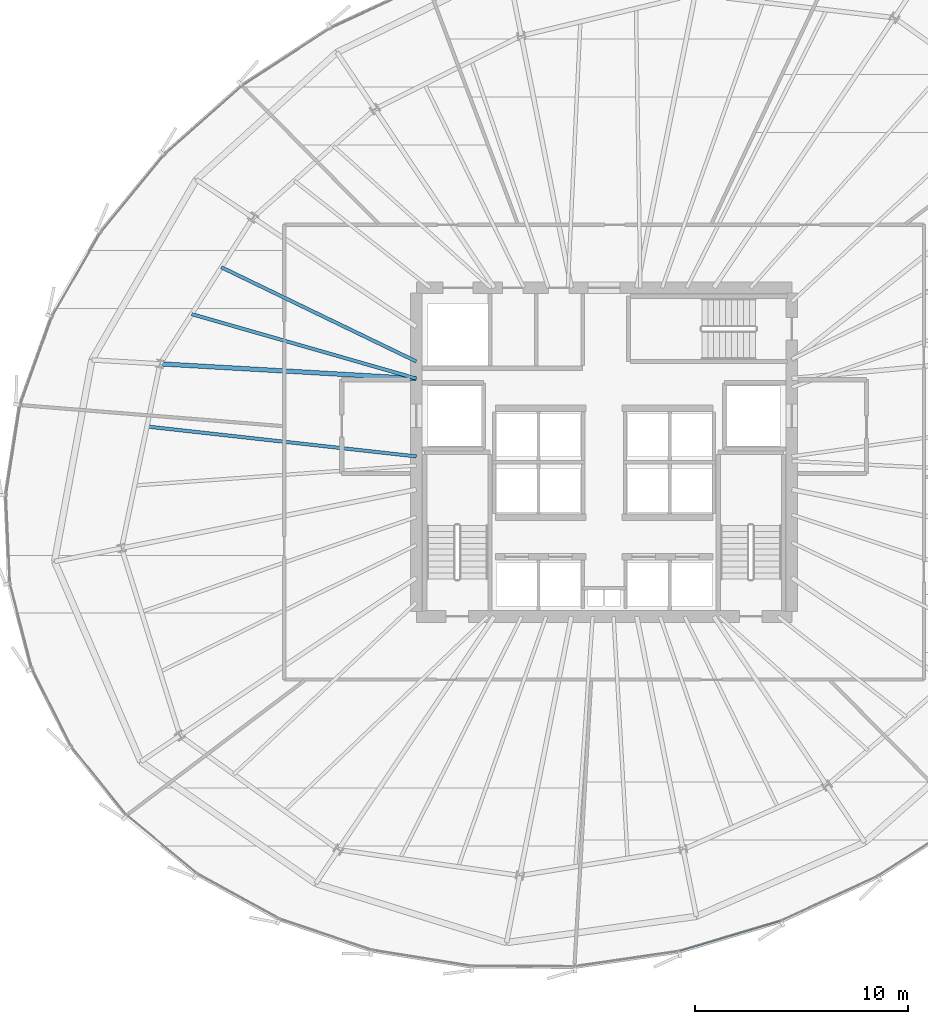
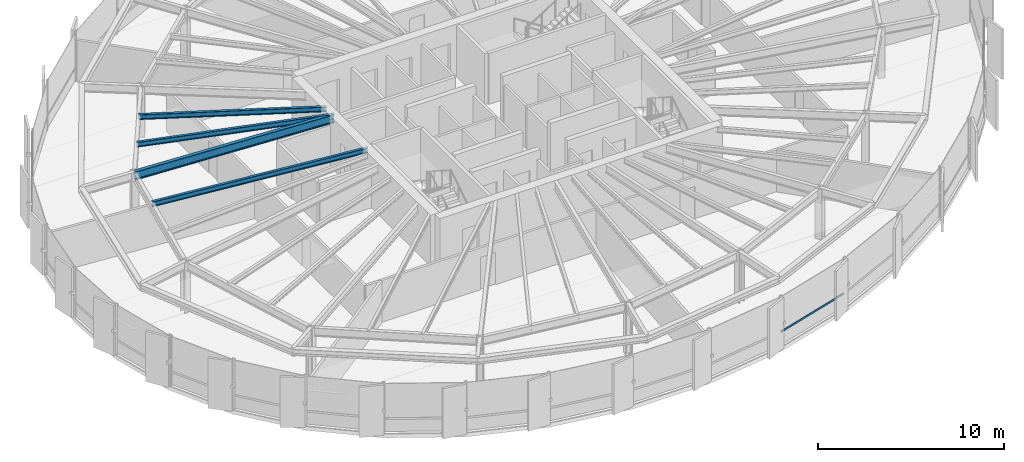
# One storey, part 11 of 33: 4 beams, 1 member, 1 element without a shape of its own.
"""IFC4 building model written with IfcOpenShell, lengths in metres."""

from ifc_helpers import new_model, si_unit, direction, frame, origin, origin_2d, place, context, subcontext, project, spatial, hollow_rectangle, i_section, extrude, source, transform, mapped, material, layer, layer_set, material_profile, profile_set, type_object, element, aggregate, save


model = new_model("IFC4")

# Units and contexts
model_context = context("Model", 3, precision=1e-05, world=origin(), true_north=direction((0.0, 1.0)))
body_context = subcontext(model_context, "Body", "Model", "MODEL_VIEW")
ifc_project = project(units=[si_unit("LENGTHUNIT", "METRE"), si_unit("AREAUNIT", "SQUARE_METRE"), si_unit("VOLUMEUNIT", "CUBIC_METRE"), si_unit("PLANEANGLEUNIT", "RADIAN"), si_unit("MASSUNIT", "GRAM", prefix="KILO"), si_unit("THERMODYNAMICTEMPERATUREUNIT", "KELVIN")], contexts=[model_context])

# Site, building, storey
site_placement = place(None, origin())
site = spatial("IfcSite", under=ifc_project, at=site_placement, CompositionType="ELEMENT")
building_placement = place(site_placement, origin())
building = spatial("IfcBuilding", under=site, at=building_placement, Name="Kethvar Cultural Tower", CompositionType="ELEMENT")
storey_placement = place(building_placement, frame((0.0, 0.0, 118.0)))
storey = spatial("IfcBuildingStorey", under=building, at=storey_placement, Name="L29", CompositionType="ELEMENT", Elevation=118.0)

# Beams
ifc_material_1 = material(Name="Steel S355J2", Category="steel")
ifc_material_profile_1 = material_profile(ifc_material_1, i_section(OverallWidth=0.2099609375, OverallDepth=0.550048828125, WebThickness=0.010986328125, FlangeThickness=0.01708984375, FilletRadius=0.02392578125, at=origin_2d()), Name="Steel S355J2 — IPE550")
ifc_profile_set_1 = profile_set([ifc_material_profile_1], Name="Steel S355J2 — IPE550")
beam_type_1 = type_object("IfcBeamType", Name="BM-IPE550", PredefinedType="BEAM", material=ifc_profile_set_1)
shared_shape_1 = source(origin(), body_context, "Body", "SweptSolid", [
    extrude(i_section(OverallWidth=0.2099609375, OverallDepth=0.550048828125, WebThickness=0.010986328125, FlangeThickness=0.01708984375, FilletRadius=0.02392578125, at=origin_2d()), origin(), (0.0, 0.0, 1.0), 12.03125),
])
beam_1_placement = place(storey_placement, frame((38.0, 31.25, 3.072998046875), z_axis=(-0.998355544741, 0.057325441856, 0.0), x_axis=(-0.057325441856, -0.998355544741, 0.0)))
element("IfcBeam", 1, at=beam_1_placement, inside=storey, type_object=beam_type_1, Name="L29 Primary Radial Beam RB-08", PredefinedType="BEAM", context=body_context, shape_type="MappedRepresentation", body=[
    mapped(shared_shape_1, transform((0.0, 0.0, 0.0), scale=1.0)),
])
ifc_material_profile_2 = material_profile(ifc_material_1, i_section(OverallWidth=0.159912109375, OverallDepth=0.330078125, WebThickness=0.007568359375, FlangeThickness=0.011474609375, FilletRadius=0.01806640625, at=origin_2d()), Name="Steel S355J2 — IPE330")
ifc_profile_set_2 = profile_set([ifc_material_profile_2], Name="Steel S355J2 — IPE330")
beam_type_2 = type_object("IfcBeamType", Name="BM-J330", PredefinedType="JOIST", material=ifc_profile_set_2)
shared_shape_2 = source(origin(), body_context, "Body", "SweptSolid", [
    extrude(i_section(OverallWidth=0.159912109375, OverallDepth=0.330078125, WebThickness=0.007568359375, FlangeThickness=0.011474609375, FilletRadius=0.01806640625, at=origin_2d()), origin(), (0.0, 0.0, 1.0), 10.1455078125),
])
beam_2_placement = place(storey_placement, frame((38.0, 32.05078125, 3.18310546875), z_axis=(-0.90045122575, 0.434956997927, 0.0), x_axis=(-0.434956997927, -0.90045122575, 0.0)))
element("IfcBeam", 2, at=beam_2_placement, inside=storey, type_object=beam_type_2, Name="L29 Composite Floor Joist J-07A", PredefinedType="JOIST", context=body_context, shape_type="MappedRepresentation", body=[
    mapped(shared_shape_2, transform((0.0, 0.0, 0.0), scale=1.0)),
])
shared_shape_3 = source(origin(), body_context, "Body", "SweptSolid", [
    extrude(i_section(OverallWidth=0.159912109375, OverallDepth=0.330078125, WebThickness=0.007568359375, FlangeThickness=0.011474609375, FilletRadius=0.01806640625, at=origin_2d()), origin(), (0.0, 0.0, 1.0), 10.95458984375),
])
beam_3_placement = place(storey_placement, frame((38.0, 31.25, 3.18310546875), z_axis=(-0.96124170623, 0.275707058676, 0.0), x_axis=(-0.275707058676, -0.96124170623, 0.0)))
element("IfcBeam", 3, at=beam_3_placement, inside=storey, type_object=beam_type_2, Name="L29 Composite Floor Joist J-07B", PredefinedType="JOIST", context=body_context, shape_type="MappedRepresentation", body=[
    mapped(shared_shape_3, transform((0.0, 0.0, 0.0), scale=1.0)),
])
shared_shape_4 = source(origin(), body_context, "Body", "SweptSolid", [
    extrude(i_section(OverallWidth=0.159912109375, OverallDepth=0.330078125, WebThickness=0.007568359375, FlangeThickness=0.011474609375, FilletRadius=0.01806640625, at=origin_2d()), origin(), (0.0, 0.0, 1.0), 12.7021484375),
])
beam_4_placement = place(storey_placement, frame((38.0, 27.60009765625, 3.18310546875), z_axis=(-0.993884906591, 0.110420978309, 0.0), x_axis=(-0.110420978309, -0.993884906591, 0.0)))
element("IfcBeam", 4, at=beam_4_placement, inside=storey, type_object=beam_type_2, Name="L29 Composite Floor Joist J-08A", PredefinedType="JOIST", context=body_context, shape_type="MappedRepresentation", body=[
    mapped(shared_shape_4, transform((0.0, 0.0, 0.0), scale=1.0)),
])

# Curtain wall, member
ifc_material_2 = material(Name="Aluminium 6063-T6", Category="aluminium")
ifc_layer = layer(ifc_material_2, 0.179931640625, Name="Aluminium 6063-T6", Category="aluminium")
ifc_layer_set = layer_set([ifc_layer], Name="Aluminium 6063-T6 (180 mm)")
curtain_wall_type = type_object("IfcCurtainWallType", Name="CW-SYS-03-Z2", PredefinedType="NOTDEFINED", material=ifc_layer_set)
curtain_wall_placement = place(storey_placement, origin())
curtain_wall = element("IfcCurtainWall", 5, at=curtain_wall_placement, inside=storey, type_object=curtain_wall_type, Name="L29 Curtain Wall Run 05", PredefinedType="NOTDEFINED")
ifc_material_profile_3 = material_profile(ifc_material_2, hollow_rectangle(XDim=0.054931640625, YDim=0.1201171875, WallThickness=0.00390625, at=origin_2d()), Name="Aluminium 6063-T6 — RHS120x55x4")
ifc_profile_set_3 = profile_set([ifc_material_profile_3], Name="Aluminium 6063-T6 — RHS120x55x4")
member_type = type_object("IfcMemberType", Name="CW-SYS-03-Z2-TRN", PredefinedType="USERDEFINED", material=ifc_profile_set_3)
shared_shape_5 = source(origin(), body_context, "Body", "SweptSolid", [
    extrude(hollow_rectangle(XDim=0.054931640625, YDim=0.1201171875, WallThickness=0.00390625, at=origin_2d()), origin(), (0.0, 0.0, 1.0), 4.92333984375),
])
member_placement = place(storey_placement, frame((50.34619140625, 4.423583984375, 0.949951171875), z_axis=(0.958327065669, 0.285673301528, 0.0), x_axis=(-0.285673301528, 0.958327065669, 0.0)))
member = element("IfcMember", 6, at=member_placement, type_object=member_type, Name="CW-L29-R05 Transom 3", ObjectType="TRANSOM", PredefinedType="USERDEFINED", context=body_context, shape_type="MappedRepresentation", body=[
    mapped(shared_shape_5, transform((0.0, 0.0, 0.0), scale=1.0)),
])
aggregate(curtain_wall, [member])

save(model, "model.ifc")
